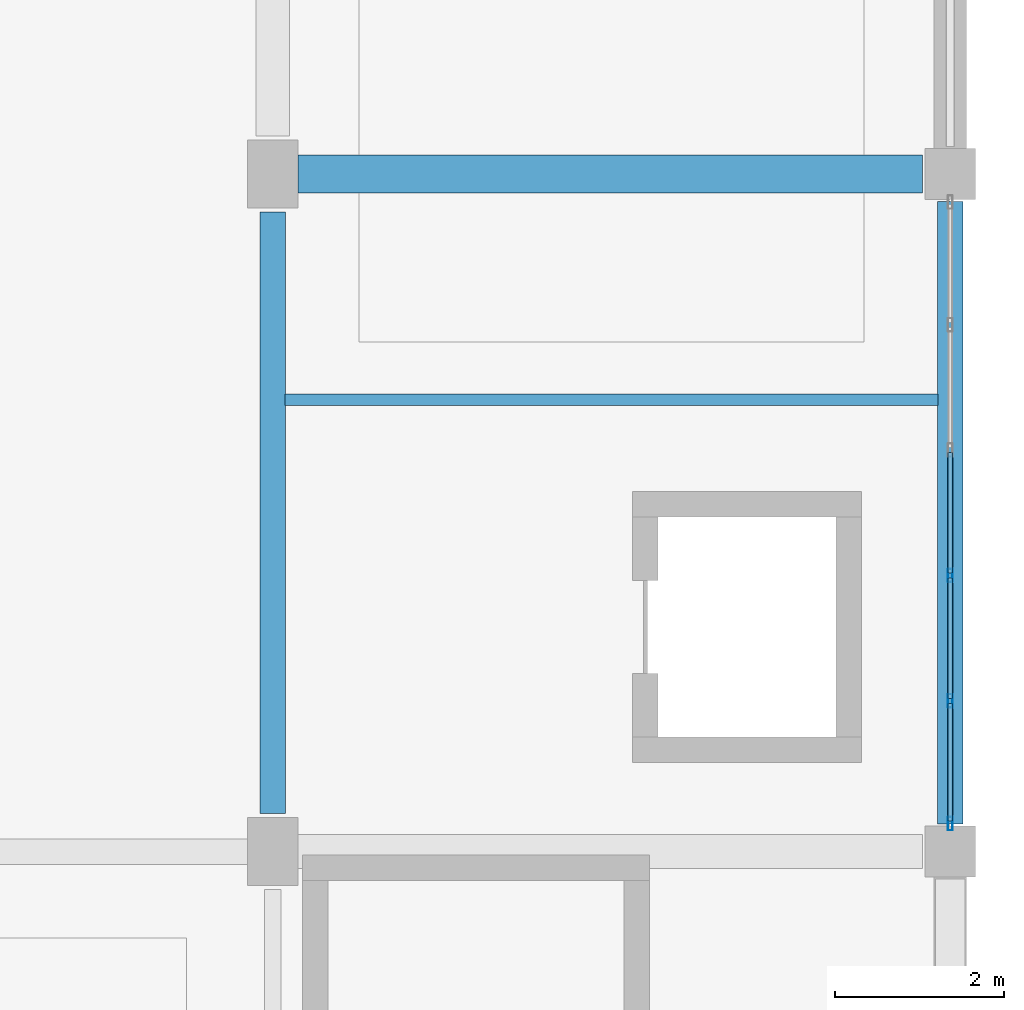
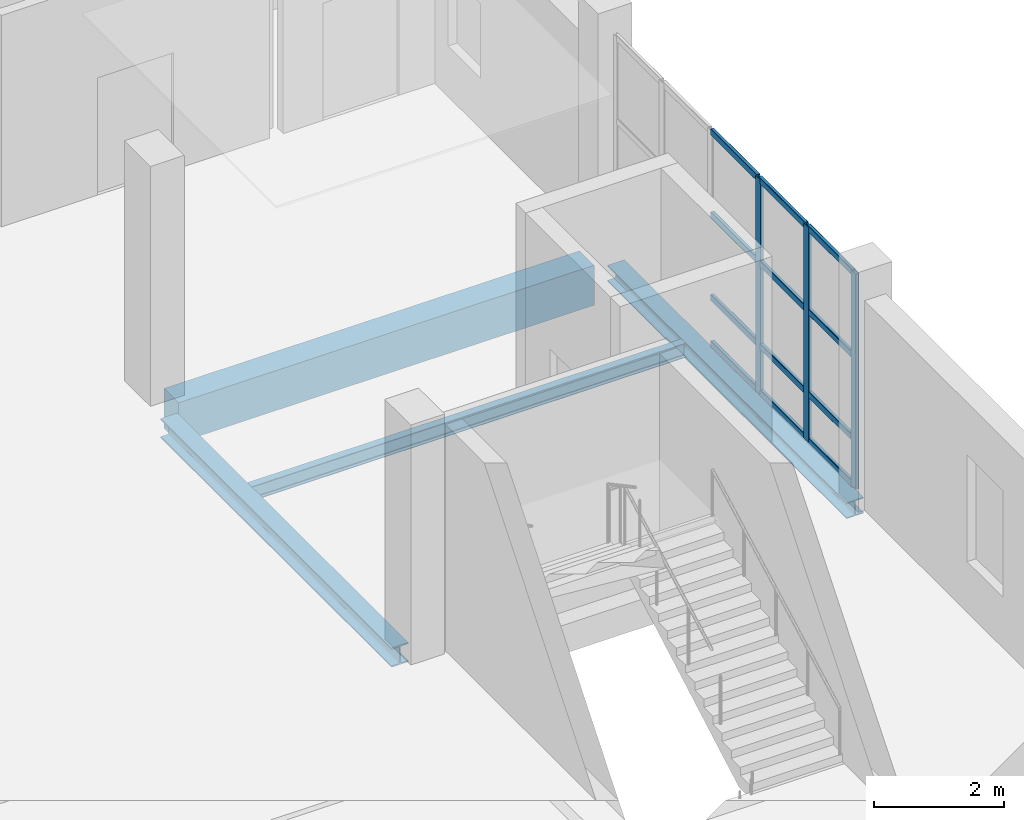
# One storey, part 102 of 183: 15 members, 4 beams, 1 element without a shape of its own.
"""IFC4 building model written with IfcOpenShell, lengths in metres."""

from ifc_helpers import new_model, si_unit, direction, frame, origin, origin_2d, place, context, subcontext, project, spatial, rectangle, hollow_rectangle, i_section, extrude, material, material_profile, profile_set, type_object, element, aggregate, save


model = new_model("IFC4")

# Units and contexts
model_context = context("Model", 3, precision=1e-05, world=origin(), true_north=direction((0.0, 1.0)))
body_context = subcontext(model_context, "Body", "Model", "MODEL_VIEW")
ifc_project = project(units=[si_unit("LENGTHUNIT", "METRE"), si_unit("AREAUNIT", "SQUARE_METRE"), si_unit("VOLUMEUNIT", "CUBIC_METRE"), si_unit("PLANEANGLEUNIT", "RADIAN"), si_unit("MASSUNIT", "GRAM", prefix="KILO")], contexts=[model_context])

# Site, building, storey
site_placement = place(None, origin())
site = spatial("IfcSite", under=ifc_project, at=site_placement, CompositionType="ELEMENT")
building_placement = place(site_placement, origin())
building = spatial("IfcBuilding", under=site, at=building_placement, Name="Luwemba Playhouse", CompositionType="ELEMENT")
storey_placement = place(building_placement, frame((0.0, 0.0, 4.800048828125)))
storey = spatial("IfcBuildingStorey", under=building, at=storey_placement, Name="L01", CompositionType="ELEMENT", Elevation=4.800048828125)

# Beams
ifc_material_1 = material(Name="Concrete C40/50", Category="concrete")
ifc_material_profile_1 = material_profile(ifc_material_1, rectangle(XDim=0.449951171875, YDim=0.75, at=origin_2d()))
ifc_profile_set_1 = profile_set([ifc_material_profile_1], Name="Concrete C40/50")
beam_type_1 = type_object("IfcBeamType", Name="BM-RB04", PredefinedType="BEAM", material=ifc_profile_set_1)
beam_1_placement = place(storey_placement, frame((164.300048828125, 52.0, -0.625), z_axis=(1.0, 0.0, 0.0), x_axis=(0.0, 1.0, 0.0)))
element("IfcBeam", 1, at=beam_1_placement, inside=storey, type_object=beam_type_1, Name="L01 grid girder 0415", PredefinedType="BEAM", context=body_context, shape_type="SweptSolid", body=[
    extrude(rectangle(XDim=0.449951171875, YDim=0.75, at=origin_2d()), origin(), (0.0, 0.0, 1.0), 7.375),
])
ifc_material_2 = material(Name="Steel S355", Category="steel")
ifc_material_profile_2 = material_profile(ifc_material_2, i_section(OverallWidth=0.300048828125, OverallDepth=0.360107421875, WebThickness=0.012451171875, FlangeThickness=0.0224609375, FilletRadius=0.027099609375, at=origin_2d()))
ifc_profile_set_2 = profile_set([ifc_material_profile_2], Name="Steel S355")
beam_type_2 = type_object("IfcBeamType", Name="BM-SB09", PredefinedType="BEAM", material=ifc_profile_set_2)
beam_2_placement = place(storey_placement, frame((164.0, 44.449951171875, -0.429931640625), z_axis=(0.0, 1.0, 0.0), x_axis=(-1.0, 0.0, 0.0)))
element("IfcBeam", 2, at=beam_2_placement, inside=storey, type_object=beam_type_2, Name="L01 transverse girder 0431", PredefinedType="BEAM", context=body_context, shape_type="SweptSolid", body=[
    extrude(i_section(OverallWidth=0.300048828125, OverallDepth=0.360107421875, WebThickness=0.012451171875, FlangeThickness=0.0224609375, FilletRadius=0.027099609375, at=origin_2d()), origin(), (0.0, 0.0, 1.0), 7.10009765625),
])
ifc_material_profile_3 = material_profile(ifc_material_2, i_section(OverallWidth=0.135009765625, OverallDepth=0.27001953125, WebThickness=0.006591796875, FlangeThickness=0.01025390625, FilletRadius=0.014892578125, at=origin_2d()))
ifc_profile_set_3 = profile_set([ifc_material_profile_3], Name="Steel S355")
beam_type_3 = type_object("IfcBeamType", Name="BM-SJ04", PredefinedType="JOIST", material=ifc_profile_set_3)
beam_3_placement = place(storey_placement, frame((164.14599609375, 49.333251953125, -0.385009765625), z_axis=(1.0, 0.0, 0.0), x_axis=(0.0, 1.0, 0.0)))
element("IfcBeam", 3, at=beam_3_placement, inside=storey, type_object=beam_type_3, Name="L01 composite floor joist 0263", PredefinedType="JOIST", context=body_context, shape_type="SweptSolid", body=[
    extrude(i_section(OverallWidth=0.135009765625, OverallDepth=0.27001953125, WebThickness=0.006591796875, FlangeThickness=0.01025390625, FilletRadius=0.014892578125, at=origin_2d()), origin(), (0.0, 0.0, 1.0), 7.7080078125),
])
ifc_material_profile_4 = material_profile(ifc_material_2, i_section(OverallWidth=0.300048828125, OverallDepth=0.300048828125, WebThickness=0.010986328125, FlangeThickness=0.01904296875, FilletRadius=0.027099609375, at=origin_2d()))
ifc_profile_set_4 = profile_set([ifc_material_profile_4], Name="Steel S355")
beam_type_4 = type_object("IfcBeamType", Name="BM-SSP1", PredefinedType="SPANDREL", material=ifc_profile_set_4)
beam_4_placement = place(storey_placement, frame((172.0, 44.324951171875, -0.400146484375), z_axis=(0.0, 1.0, 0.0), x_axis=(-1.0, 0.0, 0.0)))
element("IfcBeam", 4, at=beam_4_placement, inside=storey, type_object=beam_type_4, Name="L01 transverse girder 0434", PredefinedType="SPANDREL", context=body_context, shape_type="SweptSolid", body=[
    extrude(i_section(OverallWidth=0.300048828125, OverallDepth=0.300048828125, WebThickness=0.010986328125, FlangeThickness=0.01904296875, FilletRadius=0.027099609375, at=origin_2d()), origin(), (0.0, 0.0, 1.0), 7.35009765625),
])

# Curtain wall, members
ifc_material_3 = material(Name="Solar-control double glazing", Category="glass")
curtain_wall_type = type_object("IfcCurtainWallType", Name="CW-CW80", PredefinedType="USERDEFINED", material=ifc_material_3)
curtain_wall_placement = place(storey_placement, origin())
curtain_wall = element("IfcCurtainWall", 5, at=curtain_wall_placement, inside=storey, type_object=curtain_wall_type, Name="L01 V3 unitised curtain wall 106", ObjectType="UNITISED GLAZING", PredefinedType="USERDEFINED")
ifc_material_4 = material(Name="Aluminium 6063-T6", Category="aluminium")
ifc_material_profile_5 = material_profile(ifc_material_4, hollow_rectangle(XDim=0.06005859375, YDim=0.159912109375, WallThickness=0.00390625, InnerFilletRadius=0.006103515625, OuterFilletRadius=0.010009765625, at=origin_2d()))
ifc_profile_set_5 = profile_set([ifc_material_profile_5], Name="Aluminium 6063-T6")
member_type_1 = type_object("IfcMemberType", Name="CWM-M1", PredefinedType="MULLION", material=ifc_profile_set_5)
member_1_placement = place(storey_placement, frame((172.0, 47.260009765625, 0.0), z_axis=(0.0, 0.0, 1.0), x_axis=(1.0, 0.0, 0.0)))
member_1 = element("IfcMember", 6, at=member_1_placement, type_object=member_type_1, Name="CW80 mullion 4", PredefinedType="MULLION", context=body_context, shape_type="SweptSolid", body=[
    extrude(hollow_rectangle(XDim=0.06005859375, YDim=0.159912109375, WallThickness=0.00390625, InnerFilletRadius=0.006103515625, OuterFilletRadius=0.010009765625, at=origin_2d()), origin(), (0.0, 0.0, 1.0), 4.034912109375),
])
member_2_placement = place(storey_placement, frame((172.0, 45.780029296875, 0.0), z_axis=(0.0, 0.0, 1.0), x_axis=(1.0, 0.0, 0.0)))
member_2 = element("IfcMember", 7, at=member_2_placement, type_object=member_type_1, Name="CW80 mullion 5", PredefinedType="MULLION", context=body_context, shape_type="SweptSolid", body=[
    extrude(hollow_rectangle(XDim=0.06005859375, YDim=0.159912109375, WallThickness=0.00390625, InnerFilletRadius=0.006103515625, OuterFilletRadius=0.010009765625, at=origin_2d()), origin(), (0.0, 0.0, 1.0), 4.034912109375),
])
member_3_placement = place(storey_placement, frame((172.0, 44.330078125, 0.0), z_axis=(0.0, 0.0, 1.0), x_axis=(1.0, 0.0, 0.0)))
member_3 = element("IfcMember", 8, at=member_3_placement, type_object=member_type_1, Name="CW80 mullion 6", PredefinedType="MULLION", context=body_context, shape_type="SweptSolid", body=[
    extrude(hollow_rectangle(XDim=0.06005859375, YDim=0.159912109375, WallThickness=0.00390625, InnerFilletRadius=0.006103515625, OuterFilletRadius=0.010009765625, at=origin_2d()), origin(), (0.0, 0.0, 1.0), 4.034912109375),
])
ifc_material_profile_6 = material_profile(ifc_material_4, hollow_rectangle(XDim=0.06005859375, YDim=0.1201171875, WallThickness=0.00390625, InnerFilletRadius=0.006103515625, OuterFilletRadius=0.010009765625, at=origin_2d()))
ifc_profile_set_6 = profile_set([ifc_material_profile_6], Name="Aluminium 6063-T6")
member_type_2 = type_object("IfcMemberType", Name="CWT-T1", PredefinedType="USERDEFINED", material=ifc_profile_set_6)
member_4_placement = place(storey_placement, frame((172.0, 48.7099609375, 0.030029296875), z_axis=(0.0, -1.0, 0.0), x_axis=(1.0, 0.0, 0.0)))
member_4 = element("IfcMember", 9, at=member_4_placement, type_object=member_type_2, Name="CW80 transom 3.1", ObjectType="TRANSOM", PredefinedType="USERDEFINED", context=body_context, shape_type="SweptSolid", body=[
    extrude(hollow_rectangle(XDim=0.06005859375, YDim=0.1201171875, WallThickness=0.00390625, InnerFilletRadius=0.006103515625, OuterFilletRadius=0.010009765625, at=origin_2d()), origin(), (0.0, 0.0, 1.0), 1.419921875),
])
member_5_placement = place(storey_placement, frame((172.0, 48.7099609375, 0.89990234375), z_axis=(0.0, -1.0, 0.0), x_axis=(1.0, 0.0, 0.0)))
member_5 = element("IfcMember", 10, at=member_5_placement, type_object=member_type_2, Name="CW80 transom 3.2", ObjectType="TRANSOM", PredefinedType="USERDEFINED", context=body_context, shape_type="SweptSolid", body=[
    extrude(hollow_rectangle(XDim=0.06005859375, YDim=0.1201171875, WallThickness=0.00390625, InnerFilletRadius=0.006103515625, OuterFilletRadius=0.010009765625, at=origin_2d()), origin(), (0.0, 0.0, 1.0), 1.419921875),
])
member_6_placement = place(storey_placement, frame((172.0, 48.7099609375, 2.449951171875), z_axis=(0.0, -1.0, 0.0), x_axis=(1.0, 0.0, 0.0)))
member_6 = element("IfcMember", 11, at=member_6_placement, type_object=member_type_2, Name="CW80 transom 3.3", ObjectType="TRANSOM", PredefinedType="USERDEFINED", context=body_context, shape_type="SweptSolid", body=[
    extrude(hollow_rectangle(XDim=0.06005859375, YDim=0.1201171875, WallThickness=0.00390625, InnerFilletRadius=0.006103515625, OuterFilletRadius=0.010009765625, at=origin_2d()), origin(), (0.0, 0.0, 1.0), 1.419921875),
])
member_7_placement = place(storey_placement, frame((172.0, 48.7099609375, 4.0048828125), z_axis=(0.0, -1.0, 0.0), x_axis=(1.0, 0.0, 0.0)))
member_7 = element("IfcMember", 12, at=member_7_placement, type_object=member_type_2, Name="CW80 transom 3.4", ObjectType="TRANSOM", PredefinedType="USERDEFINED", context=body_context, shape_type="SweptSolid", body=[
    extrude(hollow_rectangle(XDim=0.06005859375, YDim=0.1201171875, WallThickness=0.00390625, InnerFilletRadius=0.006103515625, OuterFilletRadius=0.010009765625, at=origin_2d()), origin(), (0.0, 0.0, 1.0), 1.419921875),
])
member_8_placement = place(storey_placement, frame((172.0, 47.22998046875, 0.030029296875), z_axis=(0.0, -1.0, 0.0), x_axis=(1.0, 0.0, 0.0)))
member_8 = element("IfcMember", 13, at=member_8_placement, type_object=member_type_2, Name="CW80 transom 4.1", ObjectType="TRANSOM", PredefinedType="USERDEFINED", context=body_context, shape_type="SweptSolid", body=[
    extrude(hollow_rectangle(XDim=0.06005859375, YDim=0.1201171875, WallThickness=0.00390625, InnerFilletRadius=0.006103515625, OuterFilletRadius=0.010009765625, at=origin_2d()), origin(), (0.0, 0.0, 1.0), 1.419921875),
])
member_9_placement = place(storey_placement, frame((172.0, 47.22998046875, 0.89990234375), z_axis=(0.0, -1.0, 0.0), x_axis=(1.0, 0.0, 0.0)))
member_9 = element("IfcMember", 14, at=member_9_placement, type_object=member_type_2, Name="CW80 transom 4.2", ObjectType="TRANSOM", PredefinedType="USERDEFINED", context=body_context, shape_type="SweptSolid", body=[
    extrude(hollow_rectangle(XDim=0.06005859375, YDim=0.1201171875, WallThickness=0.00390625, InnerFilletRadius=0.006103515625, OuterFilletRadius=0.010009765625, at=origin_2d()), origin(), (0.0, 0.0, 1.0), 1.419921875),
])
member_10_placement = place(storey_placement, frame((172.0, 47.22998046875, 2.449951171875), z_axis=(0.0, -1.0, 0.0), x_axis=(1.0, 0.0, 0.0)))
member_10 = element("IfcMember", 15, at=member_10_placement, type_object=member_type_2, Name="CW80 transom 4.3", ObjectType="TRANSOM", PredefinedType="USERDEFINED", context=body_context, shape_type="SweptSolid", body=[
    extrude(hollow_rectangle(XDim=0.06005859375, YDim=0.1201171875, WallThickness=0.00390625, InnerFilletRadius=0.006103515625, OuterFilletRadius=0.010009765625, at=origin_2d()), origin(), (0.0, 0.0, 1.0), 1.419921875),
])
member_11_placement = place(storey_placement, frame((172.0, 47.22998046875, 4.0048828125), z_axis=(0.0, -1.0, 0.0), x_axis=(1.0, 0.0, 0.0)))
member_11 = element("IfcMember", 16, at=member_11_placement, type_object=member_type_2, Name="CW80 transom 4.4", ObjectType="TRANSOM", PredefinedType="USERDEFINED", context=body_context, shape_type="SweptSolid", body=[
    extrude(hollow_rectangle(XDim=0.06005859375, YDim=0.1201171875, WallThickness=0.00390625, InnerFilletRadius=0.006103515625, OuterFilletRadius=0.010009765625, at=origin_2d()), origin(), (0.0, 0.0, 1.0), 1.419921875),
])
member_12_placement = place(storey_placement, frame((172.0, 45.75, 0.030029296875), z_axis=(0.0, -1.0, 0.0), x_axis=(1.0, 0.0, 0.0)))
member_12 = element("IfcMember", 17, at=member_12_placement, type_object=member_type_2, Name="CW80 transom 5.1", ObjectType="TRANSOM", PredefinedType="USERDEFINED", context=body_context, shape_type="SweptSolid", body=[
    extrude(hollow_rectangle(XDim=0.06005859375, YDim=0.1201171875, WallThickness=0.00390625, InnerFilletRadius=0.006103515625, OuterFilletRadius=0.010009765625, at=origin_2d()), origin(), (0.0, 0.0, 1.0), 1.389892578125),
])
member_13_placement = place(storey_placement, frame((172.0, 45.75, 0.89990234375), z_axis=(0.0, -1.0, 0.0), x_axis=(1.0, 0.0, 0.0)))
member_13 = element("IfcMember", 18, at=member_13_placement, type_object=member_type_2, Name="CW80 transom 5.2", ObjectType="TRANSOM", PredefinedType="USERDEFINED", context=body_context, shape_type="SweptSolid", body=[
    extrude(hollow_rectangle(XDim=0.06005859375, YDim=0.1201171875, WallThickness=0.00390625, InnerFilletRadius=0.006103515625, OuterFilletRadius=0.010009765625, at=origin_2d()), origin(), (0.0, 0.0, 1.0), 1.389892578125),
])
member_14_placement = place(storey_placement, frame((172.0, 45.75, 2.449951171875), z_axis=(0.0, -1.0, 0.0), x_axis=(1.0, 0.0, 0.0)))
member_14 = element("IfcMember", 19, at=member_14_placement, type_object=member_type_2, Name="CW80 transom 5.3", ObjectType="TRANSOM", PredefinedType="USERDEFINED", context=body_context, shape_type="SweptSolid", body=[
    extrude(hollow_rectangle(XDim=0.06005859375, YDim=0.1201171875, WallThickness=0.00390625, InnerFilletRadius=0.006103515625, OuterFilletRadius=0.010009765625, at=origin_2d()), origin(), (0.0, 0.0, 1.0), 1.389892578125),
])
member_15_placement = place(storey_placement, frame((172.0, 45.75, 4.0048828125), z_axis=(0.0, -1.0, 0.0), x_axis=(1.0, 0.0, 0.0)))
member_15 = element("IfcMember", 20, at=member_15_placement, type_object=member_type_2, Name="CW80 transom 5.4", ObjectType="TRANSOM", PredefinedType="USERDEFINED", context=body_context, shape_type="SweptSolid", body=[
    extrude(hollow_rectangle(XDim=0.06005859375, YDim=0.1201171875, WallThickness=0.00390625, InnerFilletRadius=0.006103515625, OuterFilletRadius=0.010009765625, at=origin_2d()), origin(), (0.0, 0.0, 1.0), 1.389892578125),
])
aggregate(curtain_wall, [member_1, member_2, member_3, member_4, member_5, member_6, member_7, member_8, member_9, member_10, member_11, member_12, member_13, member_14, member_15])

save(model, "model.ifc")
